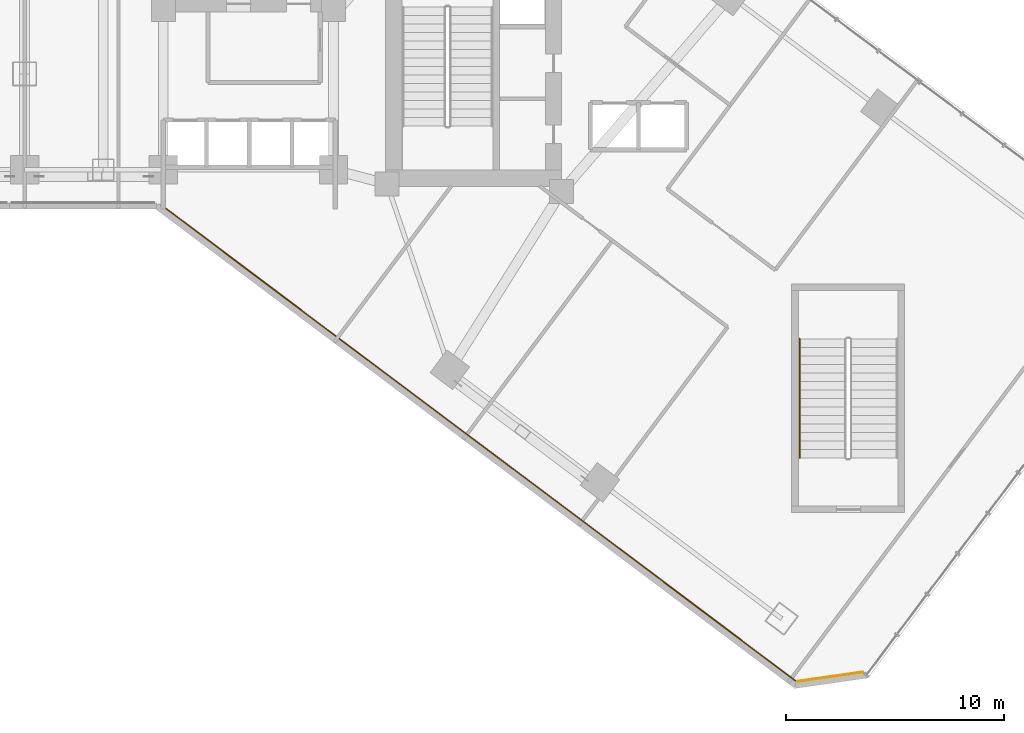
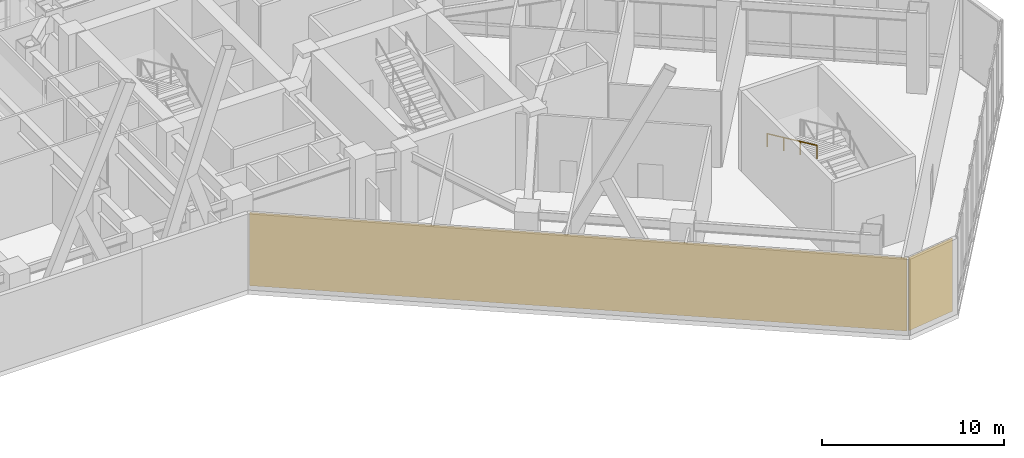
# One storey, part 32 of 35: 2 coverings, 1 railing.
"""IFC4 building model written with IfcOpenShell, lengths in metres."""

from ifc_helpers import new_model, si_unit, direction, frame, origin, origin_2d, place, context, subcontext, project, spatial, rectangle, circle, extrude, material, layer, layer_set, type_object, element, save


model = new_model("IFC4")

# Units and contexts
model_context = context("Model", 3, precision=1e-05, world=origin(), true_north=direction((0.0, 1.0)))
body_context = subcontext(model_context, "Body", "Model", "MODEL_VIEW")
ifc_project = project(units=[si_unit("LENGTHUNIT", "METRE"), si_unit("AREAUNIT", "SQUARE_METRE"), si_unit("VOLUMEUNIT", "CUBIC_METRE"), si_unit("PLANEANGLEUNIT", "RADIAN"), si_unit("MASSUNIT", "GRAM", prefix="KILO")], contexts=[model_context])

# Site, building, storey
site_placement = place(None, origin())
site = spatial("IfcSite", under=ifc_project, at=site_placement, CompositionType="ELEMENT")
building_placement = place(site_placement, origin())
building = spatial("IfcBuilding", under=site, at=building_placement, Name="Hatsunagi Terrace Concourse", CompositionType="ELEMENT")
storey_placement = place(building_placement, frame((0.0, 0.0, 5.39990234375)))
storey = spatial("IfcBuildingStorey", under=building, at=storey_placement, Name="L02", CompositionType="ELEMENT", Elevation=5.39990234375)

# Railing
ifc_material_1 = material(Name="Stainless steel", Category="steel")
ifc_layer_1 = layer(ifc_material_1, 0.050048828125)
ifc_layer_set_1 = layer_set([ifc_layer_1], Name="StairPitchHandrail_Podium2200")
railing_type = type_object("IfcRailingType", Name="StairPitchHandrail_Podium2200", PredefinedType="HANDRAIL", material=ifc_layer_set_1)
railing_placement = place(storey_placement, frame((54.699951171875, 17.4599609375, 2.880126953125)))
element("IfcRailing", 1, at=railing_placement, inside=storey, type_object=railing_type, Name="L02 ST-P2 stair handrail 2", PredefinedType="HANDRAIL", context=body_context, shape_type="SweptSolid", body=[
    extrude(circle(Radius=0.02392578125, at=origin_2d()), frame((0.0, 0.0, 0.8759765625), z_axis=(0.0, -0.907957007956, 0.419063326602), x_axis=(1.0, 0.0, 0.0)), (0.0, 0.0, 1.0), 6.013427734375),
    extrude(circle(Radius=0.02099609375, at=origin_2d()), origin(), (0.0, 0.0, 1.0), 0.851806640625),
    extrude(circle(Radius=0.02099609375, at=origin_2d()), frame((0.0, -1.820068359375, 0.840087890625)), (0.0, 0.0, 1.0), 0.851806640625),
    extrude(circle(Radius=0.02099609375, at=origin_2d()), frame((0.0, -3.639892578125, 1.679931640625)), (0.0, 0.0, 1.0), 0.851806640625),
    extrude(circle(Radius=0.02099609375, at=origin_2d()), frame((0.0, -5.4599609375, 2.52001953125)), (0.0, 0.0, 1.0), 0.851806640625),
])

# Coverings
ifc_material_2 = material(Name="Unglazed Warm Terracotta Rainscreen Tile", Category="masonry")
ifc_layer_2 = layer(ifc_material_2, 0.044921875)
ifc_layer_set_2 = layer_set([ifc_layer_2], Name="TerracottaRainscreenCladding_45")
covering_type = type_object("IfcCoveringType", Name="TerracottaRainscreenCladding_45", PredefinedType="CLADDING", material=ifc_layer_set_2)
covering_1_placement = place(storey_placement, frame((56.117919921875, 1.97900390625, 0.10009765625), z_axis=(0.0, 0.0, 1.0), x_axis=(-0.989973920543, -0.141250262458, 0.0)))
element("IfcCovering", 2, at=covering_1_placement, inside=storey, type_object=covering_type, Name="Terracotta Rainscreen Cladding L02-04", PredefinedType="CLADDING", context=body_context, shape_type="SweptSolid", body=[
    extrude(rectangle(XDim=3.0380859375, YDim=0.044921875, at=origin_2d()), origin(), (0.0, 0.0, 1.0), 4.89990234375),
])
covering_2_placement = place(storey_placement, frame((39.97998046875, 12.693115234375, 0.10009765625), z_axis=(0.0, 0.0, 1.0), x_axis=(-0.800003116929, 0.599995844072, 0.0)))
element("IfcCovering", 3, at=covering_2_placement, inside=storey, type_object=covering_type, Name="Terracotta Rainscreen Cladding L02-05", PredefinedType="CLADDING", context=body_context, shape_type="SweptSolid", body=[
    extrude(rectangle(XDim=36.34912109375, YDim=0.044921875, at=origin_2d()), origin(), (0.0, 0.0, 1.0), 4.89990234375),
])

save(model, "model.ifc")
